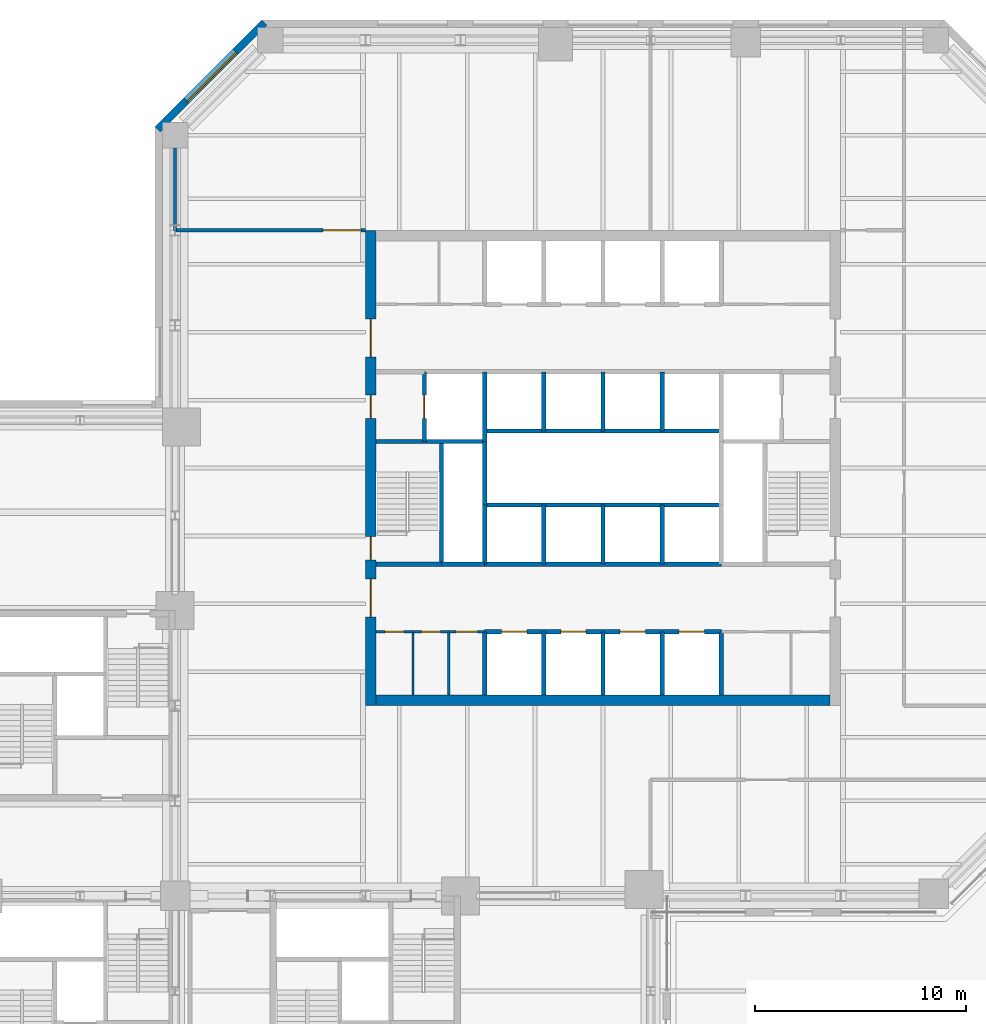
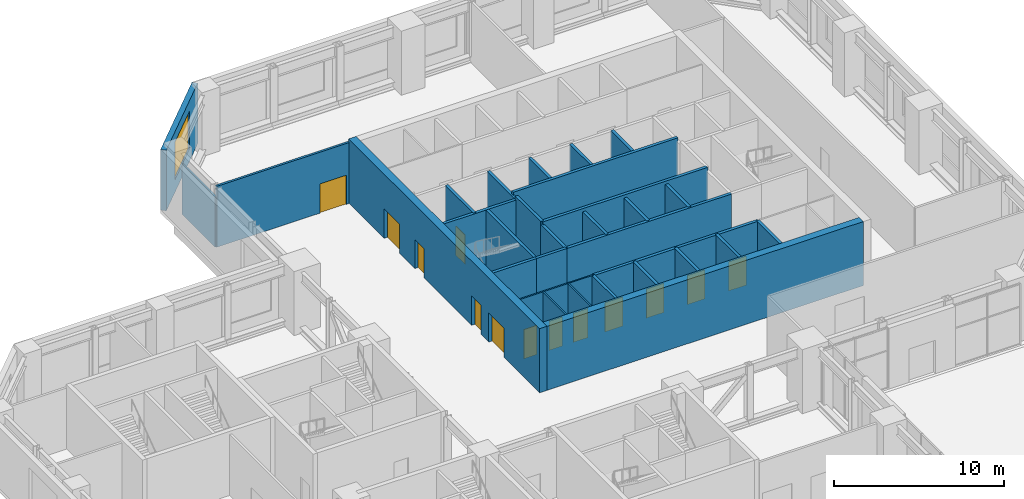
# One storey, part 15 of 21: 31 walls, 13 doors, 1 window, 14 openings.
"""IFC4 building model written with IfcOpenShell, lengths in metres."""

from ifc_helpers import new_model, si_unit, direction, frame, frame_2d, origin, place, context, subcontext, project, spatial, rectangle, extrude, material, layer, layer_set, constituent, constituent_set, type_object, element, fill, save


model = new_model("IFC4")

# Units and contexts
model_context = context("Model", 3, precision=1e-05, world=origin(), true_north=direction((0.0, 1.0)))
body_context = subcontext(model_context, "Body", "Model", "MODEL_VIEW")
ifc_project = project(units=[si_unit("LENGTHUNIT", "METRE"), si_unit("AREAUNIT", "SQUARE_METRE"), si_unit("VOLUMEUNIT", "CUBIC_METRE"), si_unit("PLANEANGLEUNIT", "RADIAN"), si_unit("MASSUNIT", "GRAM", prefix="KILO")], contexts=[model_context])

# Site, building, storey
site_placement = place(None, origin())
site = spatial("IfcSite", under=ifc_project, at=site_placement, CompositionType="ELEMENT")
building_placement = place(site_placement, origin())
building = spatial("IfcBuilding", under=site, at=building_placement, Name="Quoin Convention Tower", CompositionType="ELEMENT")
storey_placement = place(building_placement, frame((0.0, 0.0, 18.5)))
storey = spatial("IfcBuildingStorey", under=building, at=storey_placement, Name="L03", CompositionType="ELEMENT", Elevation=18.5)

# Wall, opening, window
ifc_material_1 = material(Name="Brick masonry", Category="masonry")
ifc_layer_1 = layer(ifc_material_1, 0.35009765625)
ifc_layer_set_1 = layer_set([ifc_layer_1], Name="Brick masonry")
wall_type_1 = type_object("IfcWallType", Name="Brick facade wall", PredefinedType="STANDARD", material=ifc_layer_set_1)
wall_1_placement = place(storey_placement, frame((40.230224609375, 81.826416015625, 0.0), z_axis=(0.0, 0.0, 1.0), x_axis=(-0.707106781187, -0.707106781187, 0.0)))
wall_1 = element("IfcWall", 1, at=wall_1_placement, inside=storey, type_object=wall_type_1, Name="fw-L03-40500_81000", PredefinedType="STANDARD", context=body_context, shape_type="SweptSolid", body=[
    extrude(rectangle(XDim=7.151123046875, YDim=0.35009765625, at=frame_2d((3.57568359375, 0.0))), origin(), (0.0, 0.0, 1.0), 4.35498046875),
])
opening_1_placement = place(wall_1_placement, frame((1.925537109375, 0.0, 0.89990234375)))
opening_1 = element("IfcOpeningElement", 2, at=opening_1_placement, cuts=wall_1, Name="Opening W-03", PredefinedType="OPENING", context=body_context, shape_type="SweptSolid", body=[
    extrude(rectangle(XDim=3.300048828125, YDim=2.699951171875, at=frame_2d((1.64990234375, 1.35009765625))), frame((0.0, 0.18505859375, 0.0), z_axis=(0.0, -1.0, 0.0), x_axis=(1.0, 0.0, 0.0)), (0.0, 0.0, 1.0), 0.3701171875),
])
ifc_material_2 = material(Name="Aluminium", Category="aluminium")
ifc_constituent_1 = constituent(ifc_material_2, Name="Frame")
ifc_material_3 = material(Name="Insulated glass", Category="glass")
ifc_constituent_2 = constituent(ifc_material_3, Name="Glazing")
ifc_constituent_set = constituent_set(constituents=[ifc_constituent_1, ifc_constituent_2], Name="Aluminium")
window_type = type_object("IfcWindowType", Name="Sky lobby window", PartitioningType="DOUBLE_PANEL_VERTICAL", PredefinedType="WINDOW", material=ifc_constituent_set)
window_placement = place(opening_1_placement, origin())
window = element("IfcWindow", 3, at=window_placement, inside=storey, type_object=window_type, Name="win-L03-37702_79298", OverallHeight=2.699951171875, OverallWidth=3.300048828125, PartitioningType="SINGLE_PANEL", PredefinedType="WINDOW", context=body_context, shape_type="SweptSolid", body=[
    extrude(rectangle(XDim=3.300048828125, YDim=2.699951171875, at=frame_2d((1.64990234375, 1.35009765625))), frame((0.0, 0.0849609375, 0.0), z_axis=(0.0, -1.0, 0.0), x_axis=(1.0, 0.0, 0.0)), (0.0, 0.0, 1.0), 0.06005859375),
])
fill(opening_1, window)

# Wall, openings, doors
ifc_material_4 = material(Name="Plasterboard")
ifc_layer_2 = layer(ifc_material_4, 0.012451171875, Name="Finish")
ifc_material_5 = material(Name="Steel stud framing", Category="steel")
ifc_layer_3 = layer(ifc_material_5, 0.074951171875, Name="Structure")
ifc_layer_4 = layer(ifc_material_4, 0.012451171875, Name="Finish")
ifc_layer_set_2 = layer_set([ifc_layer_2, ifc_layer_3, ifc_layer_4], Name="Steel stud framing")
wall_type_2 = type_object("IfcWallType", Name="Core partition wall", PredefinedType="PARTITIONING", material=ifc_layer_set_2)
wall_2_placement = place(storey_placement, frame((45.5, 53.0, 0.0), z_axis=(0.0, 0.0, 1.0), x_axis=(1.0, 0.0, 0.0)))
wall_2 = element("IfcWall", 4, at=wall_2_placement, inside=storey, type_object=wall_type_2, Name="cr-C1-L03-h3500_500", PredefinedType="PARTITIONING", context=body_context, shape_type="SweptSolid", body=[
    extrude(rectangle(XDim=5.14990234375, YDim=0.10009765625, at=frame_2d((2.574951171875, 0.0))), origin(), (0.0, 0.0, 1.0), 4.3798828125),
])
opening_2_placement = place(wall_2_placement, frame((0.425537109375, 0.0, 0.0)))
opening_2 = element("IfcOpeningElement", 5, at=opening_2_placement, cuts=wall_2, Name="Opening DCV1-40", PredefinedType="OPENING", context=body_context, shape_type="SweptSolid", body=[
    extrude(rectangle(XDim=0.89990234375, YDim=2.10009765625, at=frame_2d((0.449951171875, 1.050048828125))), frame((0.0, 0.06005859375, 0.0), z_axis=(0.0, -1.0, 0.0), x_axis=(1.0, 0.0, 0.0)), (0.0, 0.0, 1.0), 0.1201171875),
])
opening_3_placement = place(wall_2_placement, frame((2.150634765625, 0.0, 0.0)))
opening_3 = element("IfcOpeningElement", 6, at=opening_3_placement, cuts=wall_2, Name="Opening DCV1-41", PredefinedType="OPENING", context=body_context, shape_type="SweptSolid", body=[
    extrude(rectangle(XDim=0.89990234375, YDim=2.10009765625, at=frame_2d((0.449951171875, 1.050048828125))), frame((0.0, 0.06005859375, 0.0), z_axis=(0.0, -1.0, 0.0), x_axis=(1.0, 0.0, 0.0)), (0.0, 0.0, 1.0), 0.1201171875),
])
opening_4_placement = place(wall_2_placement, frame((3.80029296875, 0.0, 0.0)))
opening_4 = element("IfcOpeningElement", 7, at=opening_4_placement, cuts=wall_2, Name="Opening DCV1-42", PredefinedType="OPENING", context=body_context, shape_type="SweptSolid", body=[
    extrude(rectangle(XDim=1.0, YDim=2.10009765625, at=frame_2d((0.5, 1.050048828125))), frame((0.0, 0.06005859375, 0.0), z_axis=(0.0, -1.0, 0.0), x_axis=(1.0, 0.0, 0.0)), (0.0, 0.0, 1.0), 0.1201171875),
])
ifc_material_6 = material(Name="Steel door leaf", Category="steel")
door_type_1 = type_object("IfcDoorType", Name="Core room door 1000 x 2100", OperationType="SINGLE_SWING_LEFT", PredefinedType="DOOR", material=ifc_material_6)
door_1_placement = place(opening_4_placement, frame((1.0, 0.0, 0.0), z_axis=(0.0, 0.0, 1.0), x_axis=(-1.0, 0.0, 0.0)))
door_1 = element("IfcDoor", 8, at=door_1_placement, inside=storey, type_object=door_type_1, Name="cd-C1-L03-CSW2-lobA-CD0314", OperationType="SINGLE_SWING_LEFT", OverallHeight=2.10009765625, OverallWidth=1.0, PredefinedType="DOOR", context=body_context, shape_type="SweptSolid", body=[
    extrude(rectangle(XDim=1.0, YDim=2.10009765625, at=frame_2d((0.5, 1.050048828125))), frame((0.0, 0.02490234375, 0.0), z_axis=(0.0, -1.0, 0.0), x_axis=(1.0, 0.0, 0.0)), (0.0, 0.0, 1.0), 0.050048828125),
])
fill(opening_4, door_1)
door_type_2 = type_object("IfcDoorType", Name="Core room door 900 x 2100", OperationType="SINGLE_SWING_LEFT", PredefinedType="DOOR", material=ifc_material_6)
door_2_placement = place(opening_2_placement, frame((0.89990234375, 0.0, 0.0), z_axis=(0.0, 0.0, 1.0), x_axis=(-1.0, 0.0, 0.0)))
door_2 = element("IfcDoor", 9, at=door_2_placement, inside=storey, type_object=door_type_2, Name="cd-C1-L03-CSW0-lobA-CD0312", OperationType="SINGLE_SWING_LEFT", OverallHeight=2.10009765625, OverallWidth=0.89990234375, PredefinedType="DOOR", context=body_context, shape_type="SweptSolid", body=[
    extrude(rectangle(XDim=0.89990234375, YDim=2.10009765625, at=frame_2d((0.449951171875, 1.050048828125))), frame((0.0, 0.02490234375, 0.0), z_axis=(0.0, -1.0, 0.0), x_axis=(1.0, 0.0, 0.0)), (0.0, 0.0, 1.0), 0.050048828125),
])
fill(opening_2, door_2)
door_3_placement = place(opening_3_placement, frame((0.89990234375, 0.0, 0.0), z_axis=(0.0, 0.0, 1.0), x_axis=(-1.0, 0.0, 0.0)))
door_3 = element("IfcDoor", 10, at=door_3_placement, inside=storey, type_object=door_type_2, Name="cd-C1-L03-CSW1-lobA-CD0313", OperationType="SINGLE_SWING_LEFT", OverallHeight=2.10009765625, OverallWidth=0.89990234375, PredefinedType="DOOR", context=body_context, shape_type="SweptSolid", body=[
    extrude(rectangle(XDim=0.89990234375, YDim=2.10009765625, at=frame_2d((0.449951171875, 1.050048828125))), frame((0.0, 0.02490234375, 0.0), z_axis=(0.0, -1.0, 0.0), x_axis=(1.0, 0.0, 0.0)), (0.0, 0.0, 1.0), 0.050048828125),
])
fill(opening_3, door_3)

# Walls
for number, where, z_axis, x_axis, name in (
    (11, (47.2509765625, 50.0, 0.0), (0.0, 0.0, 1.0), (0.0, 1.0, 0.0), "cr-C1-L03-v2251_500"),
    (12, (48.950439453125, 50.0, 0.0), (0.0, 0.0, 1.0), (0.0, 1.0, 0.0), "cr-C1-L03-v3950_500"),
):
    element("IfcWall", number, at=place(storey_placement, frame(where, z_axis=z_axis, x_axis=x_axis)), inside=storey, type_object=wall_type_2, Name=name, PredefinedType="PARTITIONING", context=body_context, shape_type="SweptSolid", body=[
        extrude(rectangle(XDim=3.0, YDim=0.10009765625, at=frame_2d((1.5, 0.0))), origin(), (0.0, 0.0, 1.0), 4.3798828125),
    ])

# Wall, openings, doors
ifc_material_7 = material(Name="Concrete C50", Category="concrete")
ifc_layer_5 = layer(ifc_material_7, 0.199951171875)
ifc_layer_set_3 = layer_set([ifc_layer_5], Name="Concrete C50")
wall_type_3 = type_object("IfcWallType", Name="Core shaft wall", PredefinedType="SOLIDWALL", material=ifc_layer_set_3)
wall_3_placement = place(storey_placement, frame((50.64990234375, 53.0, 0.0), z_axis=(0.0, 0.0, 1.0), x_axis=(1.0, 0.0, 0.0)))
wall_3 = element("IfcWall", 13, at=wall_3_placement, inside=storey, type_object=wall_type_3, Name="cr-C1-L03-h3500_5650", PredefinedType="SOLIDWALL", context=body_context, shape_type="SweptSolid", body=[
    extrude(rectangle(XDim=11.2001953125, YDim=0.199951171875, at=frame_2d((5.60009765625, 0.0))), origin(), (0.0, 0.0, 1.0), 4.3798828125),
])
opening_5_placement = place(wall_3_placement, frame((0.800048828125, 0.0, 0.0)))
opening_5 = element("IfcOpeningElement", 14, at=opening_5_placement, cuts=wall_3, Name="Opening LDL1", PredefinedType="OPENING", context=body_context, shape_type="SweptSolid", body=[
    extrude(rectangle(XDim=1.199951171875, YDim=2.10009765625, at=frame_2d((0.60009765625, 1.050048828125))), frame((0.0, 0.10986328125, 0.0), z_axis=(0.0, -1.0, 0.0), x_axis=(1.0, 0.0, 0.0)), (0.0, 0.0, 1.0), 0.219970703125),
])
opening_6_placement = place(wall_3_placement, frame((3.60009765625, 0.0, 0.0)))
opening_6 = element("IfcOpeningElement", 15, at=opening_6_placement, cuts=wall_3, Name="Opening LDL2", PredefinedType="OPENING", context=body_context, shape_type="SweptSolid", body=[
    extrude(rectangle(XDim=1.199951171875, YDim=2.10009765625, at=frame_2d((0.60009765625, 1.050048828125))), frame((0.0, 0.10986328125, 0.0), z_axis=(0.0, -1.0, 0.0), x_axis=(1.0, 0.0, 0.0)), (0.0, 0.0, 1.0), 0.219970703125),
])
opening_7_placement = place(wall_3_placement, frame((6.39990234375, 0.0, 0.0)))
opening_7 = element("IfcOpeningElement", 16, at=opening_7_placement, cuts=wall_3, Name="Opening LDL3", PredefinedType="OPENING", context=body_context, shape_type="SweptSolid", body=[
    extrude(rectangle(XDim=1.199951171875, YDim=2.10009765625, at=frame_2d((0.60009765625, 1.050048828125))), frame((0.0, 0.10986328125, 0.0), z_axis=(0.0, -1.0, 0.0), x_axis=(1.0, 0.0, 0.0)), (0.0, 0.0, 1.0), 0.219970703125),
])
opening_8_placement = place(wall_3_placement, frame((9.199951171875, 0.0, 0.0)))
opening_8 = element("IfcOpeningElement", 17, at=opening_8_placement, cuts=wall_3, Name="Opening LDL4", PredefinedType="OPENING", context=body_context, shape_type="SweptSolid", body=[
    extrude(rectangle(XDim=1.199951171875, YDim=2.10009765625, at=frame_2d((0.60009765625, 1.050048828125))), frame((0.0, 0.10986328125, 0.0), z_axis=(0.0, -1.0, 0.0), x_axis=(1.0, 0.0, 0.0)), (0.0, 0.0, 1.0), 0.219970703125),
])
door_type_3 = type_object("IfcDoorType", Name="Lift landing door 1200 x 2100", OperationType="DOUBLE_DOOR_SLIDING", PredefinedType="DOOR", material=ifc_material_6)
door_4_placement = place(opening_5_placement, origin())
door_4 = element("IfcDoor", 18, at=door_4_placement, inside=storey, type_object=door_type_3, Name="cd-C1-L03-R10-lobA-LDL1", OperationType="DOUBLE_DOOR_SLIDING", OverallHeight=2.10009765625, OverallWidth=1.199951171875, PredefinedType="DOOR", context=body_context, shape_type="SweptSolid", body=[
    extrude(rectangle(XDim=1.199951171875, YDim=2.10009765625, at=frame_2d((0.60009765625, 1.050048828125))), frame((0.0, 0.02490234375, 0.0), z_axis=(0.0, -1.0, 0.0), x_axis=(1.0, 0.0, 0.0)), (0.0, 0.0, 1.0), 0.050048828125),
])
fill(opening_5, door_4)
door_5_placement = place(opening_6_placement, origin())
door_5 = element("IfcDoor", 19, at=door_5_placement, inside=storey, type_object=door_type_3, Name="cd-C1-L03-R11-lobA-LDL2", OperationType="DOUBLE_DOOR_SLIDING", OverallHeight=2.10009765625, OverallWidth=1.199951171875, PredefinedType="DOOR", context=body_context, shape_type="SweptSolid", body=[
    extrude(rectangle(XDim=1.199951171875, YDim=2.10009765625, at=frame_2d((0.60009765625, 1.050048828125))), frame((0.0, 0.02490234375, 0.0), z_axis=(0.0, -1.0, 0.0), x_axis=(1.0, 0.0, 0.0)), (0.0, 0.0, 1.0), 0.050048828125),
])
fill(opening_6, door_5)
door_6_placement = place(opening_7_placement, origin())
door_6 = element("IfcDoor", 20, at=door_6_placement, inside=storey, type_object=door_type_3, Name="cd-C1-L03-R12-lobA-LDL3", OperationType="DOUBLE_DOOR_SLIDING", OverallHeight=2.10009765625, OverallWidth=1.199951171875, PredefinedType="DOOR", context=body_context, shape_type="SweptSolid", body=[
    extrude(rectangle(XDim=1.199951171875, YDim=2.10009765625, at=frame_2d((0.60009765625, 1.050048828125))), frame((0.0, 0.02490234375, 0.0), z_axis=(0.0, -1.0, 0.0), x_axis=(1.0, 0.0, 0.0)), (0.0, 0.0, 1.0), 0.050048828125),
])
fill(opening_7, door_6)
door_7_placement = place(opening_8_placement, origin())
door_7 = element("IfcDoor", 21, at=door_7_placement, inside=storey, type_object=door_type_3, Name="cd-C1-L03-R13-lobA-LDL4", OperationType="DOUBLE_DOOR_SLIDING", OverallHeight=2.10009765625, OverallWidth=1.199951171875, PredefinedType="DOOR", context=body_context, shape_type="SweptSolid", body=[
    extrude(rectangle(XDim=1.199951171875, YDim=2.10009765625, at=frame_2d((0.60009765625, 1.050048828125))), frame((0.0, 0.02490234375, 0.0), z_axis=(0.0, -1.0, 0.0), x_axis=(1.0, 0.0, 0.0)), (0.0, 0.0, 1.0), 0.050048828125),
])
fill(opening_8, door_7)

# Walls
wall_4_placement = place(storey_placement, frame((48.60009765625, 56.199951171875, 0.0), z_axis=(0.0, 0.0, 1.0), x_axis=(1.0, 0.0, 0.0)))
element("IfcWall", 22, at=wall_4_placement, inside=storey, type_object=wall_type_3, Name="cr-C1-L03-h6700_3600", PredefinedType="SOLIDWALL", context=body_context, shape_type="SweptSolid", body=[
    extrude(rectangle(XDim=2.0498046875, YDim=0.199951171875, at=frame_2d((1.02490234375, 0.0))), origin(), (0.0, 0.0, 1.0), 4.3798828125),
])
wall_5_placement = place(storey_placement, frame((45.5, 56.199951171875, 0.0), z_axis=(0.0, 0.0, 1.0), x_axis=(1.0, 0.0, 0.0)))
element("IfcWall", 23, at=wall_5_placement, inside=storey, type_object=wall_type_3, Name="cr-C1-L03-h6700_500", PredefinedType="SOLIDWALL", context=body_context, shape_type="SweptSolid", body=[
    extrude(rectangle(XDim=3.10009765625, YDim=0.199951171875, at=frame_2d((1.550048828125, 0.0))), origin(), (0.0, 0.0, 1.0), 4.3798828125),
])
wall_6_placement = place(storey_placement, frame((50.64990234375, 56.199951171875, 0.0), z_axis=(0.0, 0.0, 1.0), x_axis=(1.0, 0.0, 0.0)))
element("IfcWall", 24, at=wall_6_placement, inside=storey, type_object=wall_type_3, Name="cr-C1-L03-h6700_5650", PredefinedType="SOLIDWALL", context=body_context, shape_type="SweptSolid", body=[
    extrude(rectangle(XDim=11.2001953125, YDim=0.199951171875, at=frame_2d((5.60009765625, 0.0))), origin(), (0.0, 0.0, 1.0), 4.3798828125),
])
wall_7_placement = place(storey_placement, frame((45.5, 62.0, 0.0), z_axis=(0.0, 0.0, 1.0), x_axis=(1.0, 0.0, 0.0)))
element("IfcWall", 25, at=wall_7_placement, inside=storey, type_object=wall_type_3, Name="cr-C1-L03-h12500_500", PredefinedType="SOLIDWALL", context=body_context, shape_type="SweptSolid", body=[
    extrude(rectangle(XDim=5.14990234375, YDim=0.199951171875, at=frame_2d((2.574951171875, 0.0))), origin(), (0.0, 0.0, 1.0), 4.3798828125),
])

# Wall, opening, door
wall_8_placement = place(storey_placement, frame((47.800048828125, 62.0, 0.0), z_axis=(0.0, 0.0, 1.0), x_axis=(0.0, 1.0, 0.0)))
wall_8 = element("IfcWall", 26, at=wall_8_placement, inside=storey, type_object=wall_type_3, Name="cr-C1-L03-v2800_12500", PredefinedType="SOLIDWALL", context=body_context, shape_type="SweptSolid", body=[
    extrude(rectangle(XDim=3.300048828125, YDim=0.199951171875, at=frame_2d((1.64990234375, 0.0))), origin(), (0.0, 0.0, 1.0), 4.3798828125),
])
opening_9_placement = place(wall_8_placement, frame((1.10009765625, 0.0, 0.0)))
opening_9 = element("IfcOpeningElement", 27, at=opening_9_placement, cuts=wall_8, Name="Opening LDFL1", PredefinedType="OPENING", context=body_context, shape_type="SweptSolid", body=[
    extrude(rectangle(XDim=1.10009765625, YDim=2.10009765625, at=frame_2d((0.550048828125, 1.050048828125))), frame((0.0, 0.10986328125, 0.0), z_axis=(0.0, -1.0, 0.0), x_axis=(1.0, 0.0, 0.0)), (0.0, 0.0, 1.0), 0.219970703125),
])
door_type_4 = type_object("IfcDoorType", Name="Lift landing door 1100 x 2100", OperationType="DOUBLE_DOOR_SLIDING", PredefinedType="DOOR", material=ifc_material_6)
door_8_placement = place(opening_9_placement, origin())
door_8 = element("IfcDoor", 28, at=door_8_placement, inside=storey, type_object=door_type_4, Name="cd-C1-L03-FLW-FFW-LDFL1", OperationType="DOUBLE_DOOR_SLIDING", OverallHeight=2.10009765625, OverallWidth=1.10009765625, PredefinedType="DOOR", context=body_context, shape_type="SweptSolid", body=[
    extrude(rectangle(XDim=1.10009765625, YDim=2.10009765625, at=frame_2d((0.550048828125, 1.050048828125))), frame((0.0, 0.02490234375, 0.0), z_axis=(0.0, -1.0, 0.0), x_axis=(1.0, 0.0, 0.0)), (0.0, 0.0, 1.0), 0.050048828125),
])
fill(opening_9, door_8)

# Walls
wall_9_placement = place(storey_placement, frame((48.60009765625, 56.199951171875, 0.0), z_axis=(0.0, 0.0, 1.0), x_axis=(0.0, 1.0, 0.0)))
element("IfcWall", 29, at=wall_9_placement, inside=storey, type_object=wall_type_3, Name="cr-C1-L03-v3600_6700", PredefinedType="SOLIDWALL", context=body_context, shape_type="SweptSolid", body=[
    extrude(rectangle(XDim=5.800048828125, YDim=0.199951171875, at=frame_2d((2.89990234375, 0.0))), origin(), (0.0, 0.0, 1.0), 4.3798828125),
])
wall_10_placement = place(storey_placement, frame((50.64990234375, 50.0, 0.0), z_axis=(0.0, 0.0, 1.0), x_axis=(0.0, 1.0, 0.0)))
element("IfcWall", 30, at=wall_10_placement, inside=storey, type_object=wall_type_3, Name="cr-C1-L03-v5650_500", PredefinedType="SOLIDWALL", context=body_context, shape_type="SweptSolid", body=[
    extrude(rectangle(XDim=3.0, YDim=0.199951171875, at=frame_2d((1.5, 0.0))), origin(), (0.0, 0.0, 1.0), 4.3798828125),
])
wall_11_placement = place(storey_placement, frame((50.64990234375, 56.199951171875, 0.0), z_axis=(0.0, 0.0, 1.0), x_axis=(0.0, 1.0, 0.0)))
element("IfcWall", 31, at=wall_11_placement, inside=storey, type_object=wall_type_3, Name="cr-C1-L03-v5650_6700", PredefinedType="SOLIDWALL", context=body_context, shape_type="SweptSolid", body=[
    extrude(rectangle(XDim=2.800048828125, YDim=0.199951171875, at=frame_2d((1.39990234375, 0.0))), origin(), (0.0, 0.0, 1.0), 4.3798828125),
])
wall_12_placement = place(storey_placement, frame((50.64990234375, 62.0, 0.0), z_axis=(0.0, 0.0, 1.0), x_axis=(0.0, 1.0, 0.0)))
element("IfcWall", 32, at=wall_12_placement, inside=storey, type_object=wall_type_3, Name="cr-C1-L03-v5650_12500", PredefinedType="SOLIDWALL", context=body_context, shape_type="SweptSolid", body=[
    extrude(rectangle(XDim=3.300048828125, YDim=0.199951171875, at=frame_2d((1.64990234375, 0.0))), origin(), (0.0, 0.0, 1.0), 4.3798828125),
])
wall_13_placement = place(storey_placement, frame((53.449951171875, 50.0, 0.0), z_axis=(0.0, 0.0, 1.0), x_axis=(0.0, 1.0, 0.0)))
element("IfcWall", 33, at=wall_13_placement, inside=storey, type_object=wall_type_3, Name="cr-C1-L03-v8450_500", PredefinedType="SOLIDWALL", context=body_context, shape_type="SweptSolid", body=[
    extrude(rectangle(XDim=3.0, YDim=0.199951171875, at=frame_2d((1.5, 0.0))), origin(), (0.0, 0.0, 1.0), 4.3798828125),
])
for number, where, z_axis, x_axis, name in (
    (34, (53.449951171875, 56.199951171875, 0.0), (0.0, 0.0, 1.0), (0.0, 1.0, 0.0), "cr-C1-L03-v8450_6700"),
    (35, (53.449951171875, 62.5, 0.0), (0.0, 0.0, 1.0), (0.0, 1.0, 0.0), "cr-C1-L03-v8450_13000"),
):
    element("IfcWall", number, at=place(storey_placement, frame(where, z_axis=z_axis, x_axis=x_axis)), inside=storey, type_object=wall_type_3, Name=name, PredefinedType="SOLIDWALL", context=body_context, shape_type="SweptSolid", body=[
        extrude(rectangle(XDim=2.800048828125, YDim=0.199951171875, at=frame_2d((1.39990234375, 0.0))), origin(), (0.0, 0.0, 1.0), 4.3798828125),
    ])
wall_14_placement = place(storey_placement, frame((56.25, 50.0, 0.0), z_axis=(0.0, 0.0, 1.0), x_axis=(0.0, 1.0, 0.0)))
element("IfcWall", 36, at=wall_14_placement, inside=storey, type_object=wall_type_3, Name="cr-C1-L03-v11250_500", PredefinedType="SOLIDWALL", context=body_context, shape_type="SweptSolid", body=[
    extrude(rectangle(XDim=3.0, YDim=0.199951171875, at=frame_2d((1.5, 0.0))), origin(), (0.0, 0.0, 1.0), 4.3798828125),
])
for number, where, z_axis, x_axis, name in (
    (37, (56.25, 56.199951171875, 0.0), (0.0, 0.0, 1.0), (0.0, 1.0, 0.0), "cr-C1-L03-v11250_6700"),
    (38, (56.25, 62.5, 0.0), (0.0, 0.0, 1.0), (0.0, 1.0, 0.0), "cr-C1-L03-v11250_13000"),
):
    element("IfcWall", number, at=place(storey_placement, frame(where, z_axis=z_axis, x_axis=x_axis)), inside=storey, type_object=wall_type_3, Name=name, PredefinedType="SOLIDWALL", context=body_context, shape_type="SweptSolid", body=[
        extrude(rectangle(XDim=2.800048828125, YDim=0.199951171875, at=frame_2d((1.39990234375, 0.0))), origin(), (0.0, 0.0, 1.0), 4.3798828125),
    ])
wall_15_placement = place(storey_placement, frame((59.050048828125, 50.0, 0.0), z_axis=(0.0, 0.0, 1.0), x_axis=(0.0, 1.0, 0.0)))
element("IfcWall", 39, at=wall_15_placement, inside=storey, type_object=wall_type_3, Name="cr-C1-L03-v14050_500", PredefinedType="SOLIDWALL", context=body_context, shape_type="SweptSolid", body=[
    extrude(rectangle(XDim=3.0, YDim=0.199951171875, at=frame_2d((1.5, 0.0))), origin(), (0.0, 0.0, 1.0), 4.3798828125),
])
for number, where, z_axis, x_axis, name in (
    (40, (59.050048828125, 56.199951171875, 0.0), (0.0, 0.0, 1.0), (0.0, 1.0, 0.0), "cr-C1-L03-v14050_6700"),
    (41, (59.050048828125, 62.5, 0.0), (0.0, 0.0, 1.0), (0.0, 1.0, 0.0), "cr-C1-L03-v14050_13000"),
):
    element("IfcWall", number, at=place(storey_placement, frame(where, z_axis=z_axis, x_axis=x_axis)), inside=storey, type_object=wall_type_3, Name=name, PredefinedType="SOLIDWALL", context=body_context, shape_type="SweptSolid", body=[
        extrude(rectangle(XDim=2.800048828125, YDim=0.199951171875, at=frame_2d((1.39990234375, 0.0))), origin(), (0.0, 0.0, 1.0), 4.3798828125),
    ])
wall_16_placement = place(storey_placement, frame((61.85009765625, 50.0, 0.0), z_axis=(0.0, 0.0, 1.0), x_axis=(0.0, 1.0, 0.0)))
element("IfcWall", 42, at=wall_16_placement, inside=storey, type_object=wall_type_3, Name="cr-C1-L03-v16850_500", PredefinedType="SOLIDWALL", context=body_context, shape_type="SweptSolid", body=[
    extrude(rectangle(XDim=3.0, YDim=0.199951171875, at=frame_2d((1.5, 0.0))), origin(), (0.0, 0.0, 1.0), 4.3798828125),
])
ifc_layer_6 = layer(ifc_material_7, 0.199951171875)
ifc_layer_set_4 = layer_set([ifc_layer_6], Name="Concrete C50")
wall_type_4 = type_object("IfcWallType", Name="Core shaft wall to the floor level over", PredefinedType="SOLIDWALL", material=ifc_layer_set_4)
for number, where, z_axis, x_axis, name in (
    (43, (50.64990234375, 59.0, 0.0), (0.0, 0.0, 1.0), (1.0, 0.0, 0.0), "cr-C1-L03-h9500_5650"),
    (44, (50.64990234375, 62.5, 0.0), (0.0, 0.0, 1.0), (1.0, 0.0, 0.0), "cr-C1-L03-h13000_5650"),
):
    element("IfcWall", number, at=place(storey_placement, frame(where, z_axis=z_axis, x_axis=x_axis)), inside=storey, type_object=wall_type_4, Name=name, PredefinedType="SOLIDWALL", context=body_context, shape_type="SweptSolid", body=[
        extrude(rectangle(XDim=11.2001953125, YDim=0.199951171875, at=frame_2d((5.60009765625, 0.0))), origin(), (0.0, 0.0, 1.0), 4.60009765625),
    ])
wall_17_placement = place(storey_placement, frame((50.64990234375, 59.0, 0.0), z_axis=(0.0, 0.0, 1.0), x_axis=(0.0, 1.0, 0.0)))
element("IfcWall", 45, at=wall_17_placement, inside=storey, type_object=wall_type_4, Name="cr-C1-L03-v5650_9500", PredefinedType="SOLIDWALL", context=body_context, shape_type="SweptSolid", body=[
    extrude(rectangle(XDim=3.0, YDim=0.199951171875, at=frame_2d((1.5, 0.0))), origin(), (0.0, 0.0, 1.0), 4.60009765625),
])

# Wall, opening, door
ifc_layer_7 = layer(ifc_material_4, 0.012451171875, Name="Finish")
ifc_layer_8 = layer(ifc_material_5, 0.125, Name="Structure")
ifc_layer_9 = layer(ifc_material_4, 0.012451171875, Name="Finish")
ifc_layer_set_5 = layer_set([ifc_layer_7, ifc_layer_8, ifc_layer_9], Name="Steel stud framing")
wall_type_5 = type_object("IfcWallType", Name="Partition wall 150", PredefinedType="PARTITIONING", material=ifc_layer_set_5)
wall_18_placement = place(storey_placement, frame((36.0, 72.0, 0.0), z_axis=(0.0, 0.0, 1.0), x_axis=(1.0, 0.0, 0.0)))
wall_18 = element("IfcWall", 46, at=wall_18_placement, inside=storey, type_object=wall_type_5, Name="pw-L03-022", PredefinedType="PARTITIONING", context=body_context, shape_type="SweptSolid", body=[
    extrude(rectangle(XDim=9.0, YDim=0.14990234375, at=frame_2d((4.5, 0.0))), origin(), (0.0, 0.0, 1.0), 4.3798828125),
])
opening_10_placement = place(wall_18_placement, frame((7.0, 0.0, 0.0)))
opening_10 = element("IfcOpeningElement", 47, at=opening_10_placement, cuts=wall_18, Name="Opening DPD3-12", PredefinedType="OPENING", context=body_context, shape_type="SweptSolid", body=[
    extrude(rectangle(XDim=1.800048828125, YDim=2.10009765625, at=frame_2d((0.89990234375, 1.050048828125))), frame((0.0, 0.0849609375, 0.0), z_axis=(0.0, -1.0, 0.0), x_axis=(1.0, 0.0, 0.0)), (0.0, 0.0, 1.0), 0.169921875),
])
door_type_5 = type_object("IfcDoorType", Name="Double leaf door 1800", OperationType="DOUBLE_DOOR_SINGLE_SWING", PredefinedType="DOOR", material=ifc_material_6)
door_9_placement = place(opening_10_placement, origin())
door_9 = element("IfcDoor", 48, at=door_9_placement, inside=storey, type_object=door_type_5, Name="dr-L03-012", OperationType="DOUBLE_DOOR_SINGLE_SWING", OverallHeight=2.10009765625, OverallWidth=1.800048828125, PredefinedType="DOOR", context=body_context, shape_type="SweptSolid", body=[
    extrude(rectangle(XDim=1.800048828125, YDim=2.10009765625, at=frame_2d((0.89990234375, 1.050048828125))), frame((0.0, 0.02490234375, 0.0), z_axis=(0.0, -1.0, 0.0), x_axis=(1.0, 0.0, 0.0)), (0.0, 0.0, 1.0), 0.050048828125),
])
fill(opening_10, door_9)

# Walls
ifc_layer_10 = layer(ifc_material_4, 0.012451171875, Name="Finish")
ifc_layer_11 = layer(ifc_material_5, 0.125, Name="Structure")
ifc_layer_12 = layer(ifc_material_4, 0.012451171875, Name="Finish")
ifc_layer_set_6 = layer_set([ifc_layer_10, ifc_layer_11, ifc_layer_12], Name="Steel stud framing")
wall_type_6 = type_object("IfcWallType", Name="Partition wall 150 under beam 800", PredefinedType="PARTITIONING", material=ifc_layer_set_6)
wall_19_placement = place(storey_placement, frame((36.0, 72.0, 0.0), z_axis=(0.0, 0.0, 1.0), x_axis=(0.0, 1.0, 0.0)))
element("IfcWall", 49, at=wall_19_placement, inside=storey, type_object=wall_type_6, Name="pw-L03-023", PredefinedType="PARTITIONING", context=body_context, shape_type="SweptSolid", body=[
    extrude(rectangle(XDim=3.89990234375, YDim=0.14990234375, at=frame_2d((1.949951171875, 0.0))), origin(), (0.0, 0.0, 1.0), 3.580078125),
])
ifc_material_8 = material(Name="Concrete C80", Category="concrete")
ifc_layer_13 = layer(ifc_material_8, 0.5)
ifc_layer_set_7 = layer_set([ifc_layer_13], Name="Concrete C80")
wall_type_7 = type_object("IfcWallType", Name="RC CORE WALL 500 C80", PredefinedType="SHEAR", material=ifc_layer_set_7)
wall_20_placement = place(storey_placement, frame((45.5, 49.75, 0.0), z_axis=(0.0, 0.0, 1.0), x_axis=(1.0, 0.0, 0.0)))
element("IfcWall", 50, at=wall_20_placement, inside=storey, type_object=wall_type_7, Name="cwl-C1-L03-S", PredefinedType="SHEAR", context=body_context, shape_type="SweptSolid", body=[
    extrude(rectangle(XDim=21.5, YDim=0.5, at=frame_2d((10.75, 0.0))), origin(), (0.0, 0.0, 1.0), 4.60009765625),
])

# Wall, openings, doors
wall_21_placement = place(storey_placement, frame((45.25, 49.5, 0.0), z_axis=(0.0, 0.0, 1.0), x_axis=(0.0, 1.0, 0.0)))
wall_21 = element("IfcWall", 51, at=wall_21_placement, inside=storey, type_object=wall_type_7, Name="cwl-C1-L03-W", PredefinedType="SHEAR", context=body_context, shape_type="SweptSolid", body=[
    extrude(rectangle(XDim=22.5, YDim=0.5, at=frame_2d((11.25, 0.0))), origin(), (0.0, 0.0, 1.0), 4.60009765625),
])
opening_11_placement = place(wall_21_placement, frame((4.199951171875, 0.0, 0.0)))
opening_11 = element("IfcOpeningElement", 52, at=opening_11_placement, cuts=wall_21, Name="Opening DCV1-49", PredefinedType="OPENING", context=body_context, shape_type="SweptSolid", body=[
    extrude(rectangle(XDim=1.800048828125, YDim=2.10009765625, at=frame_2d((0.89990234375, 1.050048828125))), frame((0.0, 0.260009765625, 0.0), z_axis=(0.0, -1.0, 0.0), x_axis=(1.0, 0.0, 0.0)), (0.0, 0.0, 1.0), 0.52001953125),
])
opening_12_placement = place(wall_21_placement, frame((6.89990234375, 0.0, 0.0)))
opening_12 = element("IfcOpeningElement", 53, at=opening_12_placement, cuts=wall_21, Name="Opening SD1", PredefinedType="OPENING", context=body_context, shape_type="SweptSolid", body=[
    extrude(rectangle(XDim=1.10009765625, YDim=2.10009765625, at=frame_2d((0.550048828125, 1.050048828125))), frame((0.0, 0.260009765625, 0.0), z_axis=(0.0, -1.0, 0.0), x_axis=(1.0, 0.0, 0.0)), (0.0, 0.0, 1.0), 0.52001953125),
])
opening_13_placement = place(wall_21_placement, frame((13.60009765625, 0.0, 0.0)))
opening_13 = element("IfcOpeningElement", 54, at=opening_13_placement, cuts=wall_21, Name="Opening DCV1-48", PredefinedType="OPENING", context=body_context, shape_type="SweptSolid", body=[
    extrude(rectangle(XDim=1.10009765625, YDim=2.10009765625, at=frame_2d((0.550048828125, 1.050048828125))), frame((0.0, 0.260009765625, 0.0), z_axis=(0.0, -1.0, 0.0), x_axis=(1.0, 0.0, 0.0)), (0.0, 0.0, 1.0), 0.52001953125),
])
opening_14_placement = place(wall_21_placement, frame((16.5, 0.0, 0.0)))
opening_14 = element("IfcOpeningElement", 55, at=opening_14_placement, cuts=wall_21, Name="Opening DCV1-49", PredefinedType="OPENING", context=body_context, shape_type="SweptSolid", body=[
    extrude(rectangle(XDim=1.800048828125, YDim=2.10009765625, at=frame_2d((0.89990234375, 1.050048828125))), frame((0.0, 0.260009765625, 0.0), z_axis=(0.0, -1.0, 0.0), x_axis=(1.0, 0.0, 0.0)), (0.0, 0.0, 1.0), 0.52001953125),
])
door_type_6 = type_object("IfcDoorType", Name="Fire-fighting lobby door 1100 x 2100", OperationType="SINGLE_SWING_LEFT", PredefinedType="DOOR", material=ifc_material_6)
door_10_placement = place(opening_13_placement, frame((1.10009765625, 0.0, 0.0), z_axis=(0.0, 0.0, 1.0), x_axis=(-1.0, 0.0, 0.0)))
door_10 = element("IfcDoor", 56, at=door_10_placement, inside=storey, type_object=door_type_6, Name="cd-C1-L03-FFW-W", OperationType="SINGLE_SWING_LEFT", OverallHeight=2.10009765625, OverallWidth=1.10009765625, PredefinedType="DOOR", context=body_context, shape_type="SweptSolid", body=[
    extrude(rectangle(XDim=1.10009765625, YDim=2.10009765625, at=frame_2d((0.550048828125, 1.050048828125))), frame((0.0, 0.02490234375, 0.0), z_axis=(0.0, -1.0, 0.0), x_axis=(1.0, 0.0, 0.0)), (0.0, 0.0, 1.0), 0.050048828125),
])
fill(opening_13, door_10)
door_type_7 = type_object("IfcDoorType", Name="Lift lobby door 1800 x 2100", OperationType="SINGLE_SWING_LEFT", PredefinedType="DOOR", material=ifc_material_6)
door_11_placement = place(opening_11_placement, frame((1.800048828125, 0.0, 0.0), z_axis=(0.0, 0.0, 1.0), x_axis=(-1.0, 0.0, 0.0)))
door_11 = element("IfcDoor", 57, at=door_11_placement, inside=storey, type_object=door_type_7, Name="cd-C1-L03-lobA-W", OperationType="SINGLE_SWING_LEFT", OverallHeight=2.10009765625, OverallWidth=1.800048828125, PredefinedType="DOOR", context=body_context, shape_type="SweptSolid", body=[
    extrude(rectangle(XDim=1.800048828125, YDim=2.10009765625, at=frame_2d((0.89990234375, 1.050048828125))), frame((0.0, 0.02490234375, 0.0), z_axis=(0.0, -1.0, 0.0), x_axis=(1.0, 0.0, 0.0)), (0.0, 0.0, 1.0), 0.050048828125),
])
fill(opening_11, door_11)
door_12_placement = place(opening_14_placement, frame((1.800048828125, 0.0, 0.0), z_axis=(0.0, 0.0, 1.0), x_axis=(-1.0, 0.0, 0.0)))
door_12 = element("IfcDoor", 58, at=door_12_placement, inside=storey, type_object=door_type_7, Name="cd-C1-L03-lobB-W", OperationType="SINGLE_SWING_LEFT", OverallHeight=2.10009765625, OverallWidth=1.800048828125, PredefinedType="DOOR", context=body_context, shape_type="SweptSolid", body=[
    extrude(rectangle(XDim=1.800048828125, YDim=2.10009765625, at=frame_2d((0.89990234375, 1.050048828125))), frame((0.0, 0.02490234375, 0.0), z_axis=(0.0, -1.0, 0.0), x_axis=(1.0, 0.0, 0.0)), (0.0, 0.0, 1.0), 0.050048828125),
])
fill(opening_14, door_12)
door_type_8 = type_object("IfcDoorType", Name="Stair door 1100 x 2100", OperationType="SINGLE_SWING_RIGHT", PredefinedType="DOOR", material=ifc_material_6)
door_13_placement = place(opening_12_placement, frame((1.10009765625, 0.0, 0.0), z_axis=(0.0, 0.0, 1.0), x_axis=(-1.0, 0.0, 0.0)))
door_13 = element("IfcDoor", 59, at=door_13_placement, inside=storey, type_object=door_type_8, Name="cd-C1-L03-STW-W", OperationType="SINGLE_SWING_RIGHT", OverallHeight=2.10009765625, OverallWidth=1.10009765625, PredefinedType="DOOR", context=body_context, shape_type="SweptSolid", body=[
    extrude(rectangle(XDim=1.10009765625, YDim=2.10009765625, at=frame_2d((0.550048828125, 1.050048828125))), frame((0.0, 0.02490234375, 0.0), z_axis=(0.0, -1.0, 0.0), x_axis=(1.0, 0.0, 0.0)), (0.0, 0.0, 1.0), 0.050048828125),
])
fill(opening_12, door_13)

save(model, "model.ifc")
